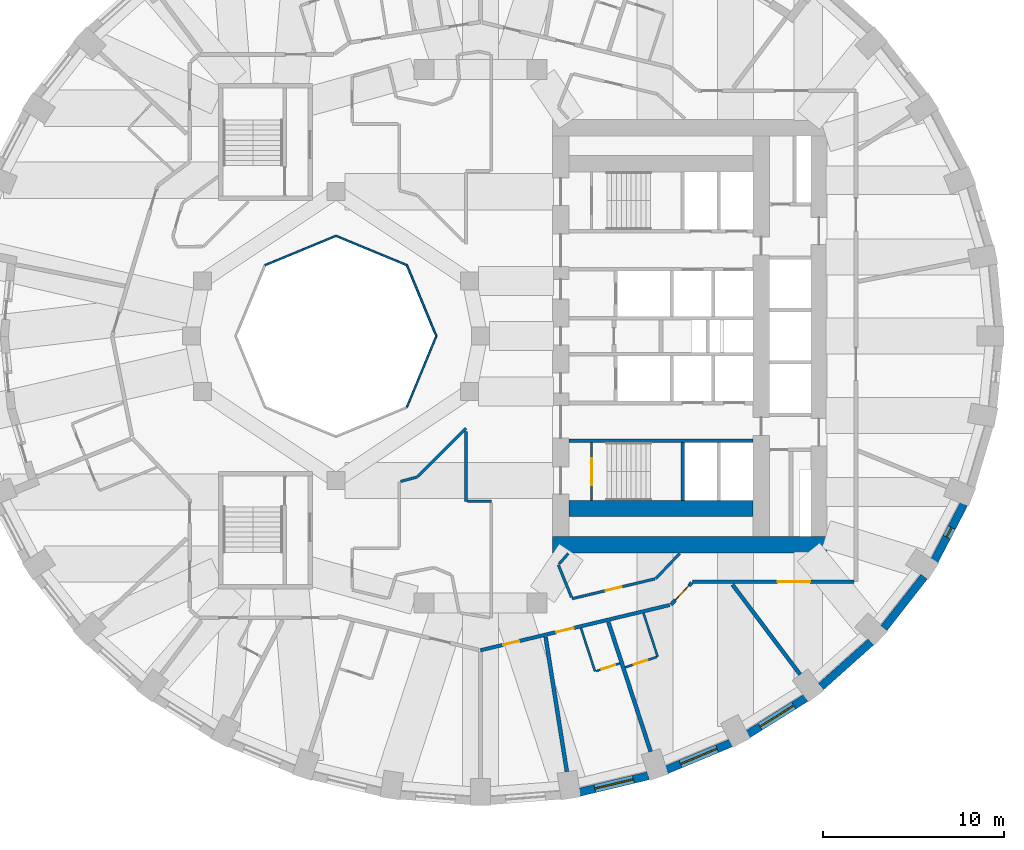
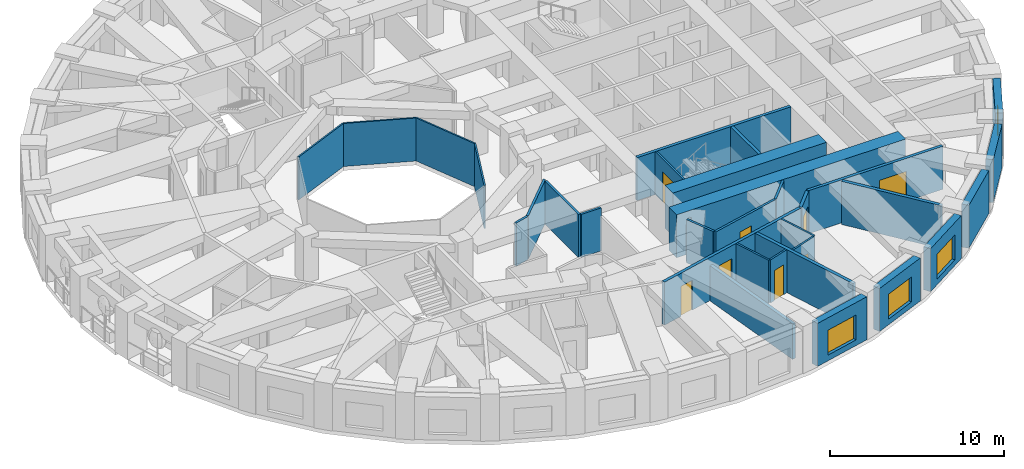
# One storey, part 5 of 14: 33 walls, 8 doors, 4 windows, 12 openings.
"""IFC4 building model written with IfcOpenShell, lengths in metres."""

import ifcopenshell
import ifcopenshell.guid

model = None  # the IFC model being written
_history = None  # IfcOwnerHistory: only IFC2X3 demands one
_inside = {}  # id of a spatial element -> (the spatial element, [elements in it])
_under = {}  # id of a project, library or spatial element -> (it, [spatial elements below it])
_declared = {}  # id of a project -> (the project, [libraries it declares])
_typed = {}  # id of a type object -> (the type object, [elements of that type])
_made_of = {}  # id of a material, layer set ... -> (it, [elements and type objects made of it])


def new_model(schema):
    """Start an empty IFC model of exactly this schema.

    Asked for "IFC4X3", IfcOpenShell would pick the latest addendum, in which some entities
    have other attributes; the version numbers below select the first issue.
    IFC2X3 requires an IfcOwnerHistory on every rooted entity: one is made here for all.
    """
    global model, _history
    if schema == "IFC4X3":
        model = ifcopenshell.file(schema_version=(4, 3, 0, 0))
    else:
        model = ifcopenshell.file(schema=schema)
    _inside.clear()
    _under.clear()
    _declared.clear()
    _typed.clear()
    _made_of.clear()
    _history = None
    if model.schema == "IFC2X3":
        org = make("IfcOrganization", Name="unknown")
        user = make(
            "IfcPersonAndOrganization",
            ThePerson=make("IfcPerson", FamilyName="unknown"),
            TheOrganization=org,
        )
        app = make(
            "IfcApplication",
            ApplicationDeveloper=org,
            Version="unknown",
            ApplicationFullName="unknown",
            ApplicationIdentifier="unknown",
        )
        _history = make(
            "IfcOwnerHistory",
            OwningUser=user,
            OwningApplication=app,
            ChangeAction="ADDED",
            CreationDate=0,
        )
    return model


def make(cls, **values):
    """One entity of the class cls with the attributes given. An attribute that is None is left unset."""
    return model.create_entity(
        cls, **{name: value for name, value in values.items() if value is not None}
    )


def rooted(cls, **values):
    """An entity with a GlobalId (a new one), such as an element, a storey or a relation."""
    return make(cls, GlobalId=ifcopenshell.guid.new(), OwnerHistory=_history, **values)


def si_unit(unit_type, name, prefix=None):
    """IfcSIUnit, for example si_unit("LENGTHUNIT", "METRE", prefix="MILLI")."""
    return make("IfcSIUnit", UnitType=unit_type, Prefix=prefix, Name=name)


def assignment(units):
    """IfcUnitAssignment: the units of a project."""
    return None if units is None else make("IfcUnitAssignment", Units=units)


def point(xyz):
    """IfcCartesianPoint."""
    return None if xyz is None else make("IfcCartesianPoint", Coordinates=xyz)


def direction(xyz):
    """IfcDirection."""
    return None if xyz is None else make("IfcDirection", DirectionRatios=xyz)


def frame(location, z_axis=None, x_axis=None):
    """IfcAxis2Placement3D, a coordinate frame: its origin and axes. An axis left out is left unset."""
    return make(
        "IfcAxis2Placement3D",
        Location=point(location),
        Axis=direction(z_axis),
        RefDirection=direction(x_axis),
    )


def frame_2d(location, x_axis=None):
    """IfcAxis2Placement2D, a coordinate frame in the plane: its origin and x axis."""
    return make(
        "IfcAxis2Placement2D", Location=point(location), RefDirection=direction(x_axis)
    )


def origin():
    """The frame at (0, 0, 0) with its axes left unset."""
    return frame((0.0, 0.0, 0.0))


def place(relative_to, where):
    """IfcLocalPlacement: puts the frame where relative to a parent placement (None: the world)."""
    return make(
        "IfcLocalPlacement", PlacementRelTo=relative_to, RelativePlacement=where
    )


def context(
    kind, dimensions, precision=None, world=None, true_north=None, identifier=None
):
    """IfcGeometricRepresentationContext, for example the 3D "Model" context."""
    return make(
        "IfcGeometricRepresentationContext",
        ContextIdentifier=identifier,
        ContextType=kind,
        CoordinateSpaceDimension=dimensions,
        Precision=precision,
        WorldCoordinateSystem=world,
        TrueNorth=true_north,
    )


def subcontext(parent, identifier, kind, view, scale=None):
    """IfcGeometricRepresentationSubContext, for example "Body" below "Model"."""
    return make(
        "IfcGeometricRepresentationSubContext",
        ContextIdentifier=identifier,
        ContextType=kind,
        ParentContext=parent,
        TargetScale=scale,
        TargetView=view,
    )


def project(units=None, contexts=None):
    """IfcProject with its units and contexts."""
    return rooted(
        "IfcProject",
        Name="project",
        RepresentationContexts=contexts,
        UnitsInContext=assignment(units),
    )


def spatial(cls, under=None, at=None, **own):
    """A site, building, storey or space (cls), placed at a placement, below another one or the project."""
    s = rooted(cls, ObjectPlacement=at, **own)
    if under is not None:
        _under.setdefault(under.id(), (under, []))[1].append(s)
    return s


def profile(cls, at=None, kind="AREA", **sizes):
    """A parametric profile (cls). Its sizes go by their IFC names, for example OverallWidth=200.0."""
    return make(cls, ProfileType=kind, Position=at, **sizes)


def rectangle(**sizes):
    """IfcRectangleProfileDef."""
    return profile("IfcRectangleProfileDef", **sizes)


def extrude(swept, where, along, depth):
    """IfcExtrudedAreaSolid: the profile swept, set in the frame where, extruded along a direction by depth."""
    return make(
        "IfcExtrudedAreaSolid",
        SweptArea=swept,
        Position=where,
        ExtrudedDirection=direction(along),
        Depth=depth,
    )


def shape(context_of_items, identifier, shape_type, items):
    """IfcShapeRepresentation: the items that make up one representation, for example the "Body"."""
    return make(
        "IfcShapeRepresentation",
        ContextOfItems=context_of_items,
        RepresentationIdentifier=identifier,
        RepresentationType=shape_type,
        Items=items,
    )


def material(Name=None, Category=None):
    """IfcMaterial."""
    return make("IfcMaterial", Name=Name, Category=Category)


def layer(
    of_material, thickness, ventilated=None, Name=None, Category=None, Priority=None
):
    """IfcMaterialLayer: one layer of a wall or slab, of a material (None: an air gap)."""
    return make(
        "IfcMaterialLayer",
        Material=of_material,
        LayerThickness=thickness,
        IsVentilated=ventilated,
        Name=Name,
        Category=Category,
        Priority=Priority,
    )


def layer_set(layers, Name=None):
    """IfcMaterialLayerSet."""
    return make("IfcMaterialLayerSet", MaterialLayers=layers, LayerSetName=Name)


def made_of(thing, what):
    """Note that an element or type object is made of a material, layer set ...; save() writes the relation."""
    if what is not None:
        _made_of.setdefault(what.id(), (what, []))[1].append(thing)
    return thing


def type_object(cls, material=None, **own):
    """A type object (cls), such as IfcWallType, which elements share."""
    return made_of(rooted(cls, **own), material)


def element(
    cls,
    number,
    at=None,
    inside=None,
    cuts=None,
    type_object=None,
    material=None,
    context=None,
    identifier="Body",
    shape_type=None,
    held_by="IfcProductDefinitionShape",
    body=None,
    shapes=None,
    **own,
):
    """One element of the class cls, such as IfcWall. Its Tag is "e" and its number.

    at: its placement. inside: the storey or other place that contains it. cuts: it is an
    opening in that element (IfcRelVoidsElement). A single representation is given by context,
    identifier, shape_type and body (its items); several are given by shapes. held_by: the class
    of the entity that holds the representations. save() writes the other relations.
    """
    e = rooted(cls, Tag="e%d" % number, ObjectPlacement=at, **own)
    if body is not None:
        shapes = [shape(context, identifier, shape_type, body)]
    if shapes is not None:
        e.Representation = make(held_by, Representations=shapes)
    if inside is not None:
        _inside.setdefault(inside.id(), (inside, []))[1].append(e)
    if cuts is not None:
        rooted(
            "IfcRelVoidsElement", RelatingBuildingElement=cuts, RelatedOpeningElement=e
        )
    if type_object is not None:
        _typed.setdefault(type_object.id(), (type_object, []))[1].append(e)
    return made_of(e, material)


def fill(opening, filler):
    """IfcRelFillsElement: the door or window that sits in an opening."""
    return rooted(
        "IfcRelFillsElement",
        RelatingOpeningElement=opening,
        RelatedBuildingElement=filler,
    )


def aggregate(whole, parts):
    """IfcRelAggregates: a whole, such as a stair, and the parts it consists of."""
    return rooted("IfcRelAggregates", RelatingObject=whole, RelatedObjects=parts)


def save(model, path):
    """Write the relations noted so far, then the file.

    IfcRelAggregates (storeys below a building ...), IfcRelContainedInSpatialStructure (elements
    in a storey), IfcRelDefinesByType, IfcRelAssociatesMaterial and IfcRelDeclares: one each for
    every whole, place, type object, material and project.
    """
    for whole, parts in _under.values():
        aggregate(whole, parts)
    for where, things in _inside.values():
        rooted(
            "IfcRelContainedInSpatialStructure",
            RelatedElements=things,
            RelatingStructure=where,
        )
    for kind, things in _typed.values():
        rooted("IfcRelDefinesByType", RelatedObjects=things, RelatingType=kind)
    for what, things in _made_of.values():
        rooted("IfcRelAssociatesMaterial", RelatedObjects=things, RelatingMaterial=what)
    for by, libraries in _declared.values():
        rooted("IfcRelDeclares", RelatingContext=by, RelatedDefinitions=libraries)
    model.write(path)


model = new_model("IFC4")

# Units and contexts
model_context = context("Model", 3, precision=1e-05, world=origin(), true_north=direction((0.0, 1.0)))
body_context = subcontext(model_context, "Body", "Model", "MODEL_VIEW")
ifc_project = project(units=[si_unit("LENGTHUNIT", "METRE"), si_unit("AREAUNIT", "SQUARE_METRE"), si_unit("VOLUMEUNIT", "CUBIC_METRE"), si_unit("PLANEANGLEUNIT", "RADIAN"), si_unit("MASSUNIT", "GRAM", prefix="KILO")], contexts=[model_context])

# Site, building, storey
site_placement = place(None, origin())
site = spatial("IfcSite", under=ifc_project, at=site_placement, CompositionType="ELEMENT")
building_placement = place(site_placement, origin())
building = spatial("IfcBuilding", under=site, at=building_placement, Name="Taillehof Tower", CompositionType="ELEMENT")
storey_placement = place(building_placement, frame((0.0, 0.0, 28.300048828125)))
storey = spatial("IfcBuildingStorey", under=building, at=storey_placement, Name="L06", CompositionType="ELEMENT", Elevation=28.300048828125)

# Walls
ifc_material_1 = material(Name="Fire-resisting glass in steel frame", Category="steel")
ifc_layer_1 = layer(ifc_material_1, 0.10009765625)
ifc_layer_set_1 = layer_set([ifc_layer_1], Name="Atrium fire-resisting screen EI 60 100")
wall_type_1 = type_object("IfcWallType", Name="Atrium fire-resisting screen EI 60 100", PredefinedType="PARTITIONING", material=ifc_layer_set_1)
for number, where, z_axis, x_axis, name in (
    (1, (-2.44580078125, 0.0, 0.0), (0.0, 0.0, 1.0), (-0.382730523909, -0.923860025149, 0.0), "Atrium screen"),
    (2, (-11.92724609375, 3.92724609375, 0.0), (0.0, 0.0, 1.0), (0.923860025149, 0.382730523909, 0.0), "Atrium screen"),
    (3, (-8.0, 5.55419921875, 0.0), (0.0, 0.0, 1.0), (0.923860025149, -0.382730523909, 0.0), "Atrium screen"),
    (4, (-4.07275390625, 3.92724609375, 0.0), (0.0, 0.0, 1.0), (0.382730523909, -0.923860025149, 0.0), "Atrium screen"),
):
    element("IfcWall", number, at=place(storey_placement, frame(where, z_axis=z_axis, x_axis=x_axis)), inside=storey, type_object=wall_type_1, Name=name, PredefinedType="PARTITIONING", context=body_context, shape_type="SweptSolid", body=[
        extrude(rectangle(XDim=4.2509765625, YDim=0.10009765625, at=frame_2d((2.12548828125, 0.0))), origin(), (0.0, 0.0, 1.0), 3.02001953125),
    ])

# Wall, opening, window
ifc_material_2 = material(Name="Brick masonry", Category="masonry")
ifc_layer_2 = layer(ifc_material_2, 0.449951171875)
ifc_layer_set_2 = layer_set([ifc_layer_2], Name="Brick infill wall 450")
wall_type_2 = type_object("IfcWallType", Name="Brick infill wall 450", PredefinedType="SOLIDWALL", material=ifc_layer_set_2)
wall_1_placement = place(storey_placement, frame((5.50439453125, -25.260498046875, 0.0), z_axis=(0.0, 0.0, 1.0), x_axis=(0.972496561493, 0.232917233979, 0.0)))
wall_1 = element("IfcWall", 5, at=wall_1_placement, inside=storey, type_object=wall_type_2, Name="Brick wall L06 bay 29", PredefinedType="SOLIDWALL", context=body_context, shape_type="SweptSolid", body=[
    extrude(rectangle(XDim=3.910888671875, YDim=0.449951171875, at=frame_2d((1.95556640625, 0.0))), origin(), (0.0, 0.0, 1.0), 3.02001953125),
])
opening_1_placement = place(wall_1_placement, frame((0.855224609375, 0.0, 0.39990234375)))
opening_1 = element("IfcOpeningElement", 6, at=opening_1_placement, cuts=wall_1, Name="Opening W1", PredefinedType="OPENING", context=body_context, shape_type="SweptSolid", body=[
    extrude(rectangle(XDim=2.199951171875, YDim=1.75, at=frame_2d((1.10009765625, 0.875))), frame((0.0, 0.23486328125, 0.0), z_axis=(0.0, -1.0, 0.0), x_axis=(1.0, 0.0, 0.0)), (0.0, 0.0, 1.0), 0.469970703125),
])
ifc_material_3 = material(Name="Aluminium window frame with clear double glazing", Category="aluminium")
window_type_1 = type_object("IfcWindowType", Name="Deep-set window 2200x1750", PartitioningType="SINGLE_PANEL", PredefinedType="WINDOW", material=ifc_material_3)
window_1_placement = place(opening_1_placement, origin())
window_1 = element("IfcWindow", 7, at=window_1_placement, inside=storey, type_object=window_type_1, Name="W1", OverallHeight=1.75, OverallWidth=2.199951171875, PartitioningType="SINGLE_PANEL", PredefinedType="WINDOW", context=body_context, shape_type="SweptSolid", body=[
    extrude(rectangle(XDim=2.199951171875, YDim=1.75, at=frame_2d((1.10009765625, 0.875))), frame((0.0, 0.034912109375, 0.0), z_axis=(0.0, -1.0, 0.0), x_axis=(1.0, 0.0, 0.0)), (0.0, 0.0, 1.0), 0.06005859375),
])
fill(opening_1, window_1)

wall_2_placement = place(storey_placement, frame((10.3154296875, -24.02099609375, 0.0), z_axis=(0.0, 0.0, 1.0), x_axis=(0.923031964282, 0.384723267966, 0.0)))
wall_2 = element("IfcWall", 8, at=wall_2_placement, inside=storey, type_object=wall_type_2, Name="Brick wall L06 bay 30", PredefinedType="SOLIDWALL", context=body_context, shape_type="SweptSolid", body=[
    extrude(rectangle(XDim=3.8564453125, YDim=0.449951171875, at=frame_2d((1.92822265625, 0.0))), origin(), (0.0, 0.0, 1.0), 3.02001953125),
])
opening_2_placement = place(wall_2_placement, frame((0.828125, 0.0, 0.39990234375)))
opening_2 = element("IfcOpeningElement", 9, at=opening_2_placement, cuts=wall_2, Name="Opening W1", PredefinedType="OPENING", context=body_context, shape_type="SweptSolid", body=[
    extrude(rectangle(XDim=2.199951171875, YDim=1.75, at=frame_2d((1.10009765625, 0.875))), frame((0.0, 0.23486328125, 0.0), z_axis=(0.0, -1.0, 0.0), x_axis=(1.0, 0.0, 0.0)), (0.0, 0.0, 1.0), 0.469970703125),
])
window_2_placement = place(opening_2_placement, origin())
window_2 = element("IfcWindow", 10, at=window_2_placement, inside=storey, type_object=window_type_1, Name="W1", OverallHeight=1.75, OverallWidth=2.199951171875, PartitioningType="SINGLE_PANEL", PredefinedType="WINDOW", context=body_context, shape_type="SweptSolid", body=[
    extrude(rectangle(XDim=2.199951171875, YDim=1.75, at=frame_2d((1.10009765625, 0.875))), frame((0.0, 0.034912109375, 0.0), z_axis=(0.0, -1.0, 0.0), x_axis=(1.0, 0.0, 0.0)), (0.0, 0.0, 1.0), 0.06005859375),
])
fill(opening_2, window_2)

wall_3_placement = place(storey_placement, frame((14.81689453125, -22.050537109375, 0.0), z_axis=(0.0, 0.0, 1.0), x_axis=(0.847635480093, 0.530579016629, 0.0)))
wall_3 = element("IfcWall", 11, at=wall_3_placement, inside=storey, type_object=wall_type_2, Name="Brick wall L06 bay 31", PredefinedType="SOLIDWALL", context=body_context, shape_type="SweptSolid", body=[
    extrude(rectangle(XDim=3.782470703125, YDim=0.449951171875, at=frame_2d((1.89111328125, 0.0))), origin(), (0.0, 0.0, 1.0), 3.02001953125),
])
opening_3_placement = place(wall_3_placement, frame((0.791259765625, 0.0, 0.39990234375)))
opening_3 = element("IfcOpeningElement", 12, at=opening_3_placement, cuts=wall_3, Name="Opening W1", PredefinedType="OPENING", context=body_context, shape_type="SweptSolid", body=[
    extrude(rectangle(XDim=2.199951171875, YDim=1.75, at=frame_2d((1.10009765625, 0.875))), frame((0.0, 0.23486328125, 0.0), z_axis=(0.0, -1.0, 0.0), x_axis=(1.0, 0.0, 0.0)), (0.0, 0.0, 1.0), 0.469970703125),
])
window_3_placement = place(opening_3_placement, origin())
window_3 = element("IfcWindow", 13, at=window_3_placement, inside=storey, type_object=window_type_1, Name="W1", OverallHeight=1.75, OverallWidth=2.199951171875, PartitioningType="SINGLE_PANEL", PredefinedType="WINDOW", context=body_context, shape_type="SweptSolid", body=[
    extrude(rectangle(XDim=2.199951171875, YDim=1.75, at=frame_2d((1.10009765625, 0.875))), frame((0.0, 0.034912109375, 0.0), z_axis=(0.0, -1.0, 0.0), x_axis=(1.0, 0.0, 0.0)), (0.0, 0.0, 1.0), 0.06005859375),
])
fill(opening_3, window_3)

# Walls
wall_4_placement = place(storey_placement, frame((18.87060546875, -19.406982421875, 0.0), z_axis=(0.0, 0.0, 1.0), x_axis=(0.745526233716, 0.66647628228, 0.0)))
element("IfcWall", 14, at=wall_4_placement, inside=storey, type_object=wall_type_2, Name="Brick wall L06 bay 32", PredefinedType="SOLIDWALL", context=body_context, shape_type="SweptSolid", body=[
    extrude(rectangle(XDim=3.69677734375, YDim=0.449951171875, at=frame_2d((1.848388671875, 0.0))), origin(), (0.0, 0.0, 1.0), 3.02001953125),
])
wall_5_placement = place(storey_placement, frame((22.3515625, -16.169677734375, 0.0), z_axis=(0.0, 0.0, 1.0), x_axis=(0.616661975264, 0.787228053529, 0.0)))
element("IfcWall", 15, at=wall_5_placement, inside=storey, type_object=wall_type_2, Name="Brick wall L06 bay 33", PredefinedType="SOLIDWALL", context=body_context, shape_type="SweptSolid", body=[
    extrude(rectangle(XDim=3.60986328125, YDim=0.449951171875, at=frame_2d((1.804931640625, 0.0))), origin(), (0.0, 0.0, 1.0), 3.02001953125),
])

# Wall, opening, window
wall_6_placement = place(storey_placement, frame((25.152099609375, -12.436767578125, 0.0), z_axis=(0.0, 0.0, 1.0), x_axis=(0.462492775226, 0.886623050041, 0.0)))
wall_6 = element("IfcWall", 16, at=wall_6_placement, inside=storey, type_object=wall_type_2, Name="Brick wall L06 bay 34", PredefinedType="SOLIDWALL", context=body_context, shape_type="SweptSolid", body=[
    extrude(rectangle(XDim=3.531982421875, YDim=0.449951171875, at=frame_2d((1.76611328125, 0.0))), origin(), (0.0, 0.0, 1.0), 3.02001953125),
])
opening_4_placement = place(wall_6_placement, frame((1.466064453125, 0.0, 0.39990234375)))
opening_4 = element("IfcOpeningElement", 17, at=opening_4_placement, cuts=wall_6, Name="Opening W6", PredefinedType="OPENING", context=body_context, shape_type="SweptSolid", body=[
    extrude(rectangle(XDim=0.60009765625, YDim=1.75, at=frame_2d((0.300048828125, 0.875))), frame((0.0, 0.23486328125, 0.0), z_axis=(0.0, -1.0, 0.0), x_axis=(1.0, 0.0, 0.0)), (0.0, 0.0, 1.0), 0.469970703125),
])
ifc_material_4 = material(Name="Aluminium window frame with clear double glazing", Category="aluminium")
window_type_2 = type_object("IfcWindowType", Name="Slot window 600x1750", PartitioningType="SINGLE_PANEL", PredefinedType="WINDOW", material=ifc_material_4)
window_4_placement = place(opening_4_placement, origin())
window_4 = element("IfcWindow", 18, at=window_4_placement, inside=storey, type_object=window_type_2, Name="W6", OverallHeight=1.75, OverallWidth=0.60009765625, PartitioningType="SINGLE_PANEL", PredefinedType="WINDOW", context=body_context, shape_type="SweptSolid", body=[
    extrude(rectangle(XDim=0.60009765625, YDim=1.75, at=frame_2d((0.300048828125, 0.875))), frame((0.0, 0.034912109375, 0.0), z_axis=(0.0, -1.0, 0.0), x_axis=(1.0, 0.0, 0.0)), (0.0, 0.0, 1.0), 0.06005859375),
])
fill(opening_4, window_4)

# Wall, opening, door
ifc_material_5 = material(Name="Gypsum board on steel studs, two layers each side", Category="steel")
ifc_layer_3 = layer(ifc_material_5, 0.199951171875)
ifc_layer_set_3 = layer_set([ifc_layer_3], Name="Compartment wall corridor 200")
wall_type_3 = type_object("IfcWallType", Name="Compartment wall corridor 200", PredefinedType="PARTITIONING", material=ifc_layer_set_3)
wall_7_placement = place(storey_placement, frame((20.699951171875, -13.60009765625, 0.0), z_axis=(0.0, 0.0, 1.0), x_axis=(-1.0, 0.0, 0.0)))
wall_7 = element("IfcWall", 19, at=wall_7_placement, inside=storey, type_object=wall_type_3, Name="Compartment wall", PredefinedType="PARTITIONING", context=body_context, shape_type="SweptSolid", body=[
    extrude(rectangle(XDim=8.94140625, YDim=0.199951171875, at=frame_2d((4.470703125, 0.0))), origin(), (0.0, 0.0, 1.0), 3.02001953125),
])
opening_5_placement = place(wall_7_placement, frame((2.436279296875, 0.0, 0.0)))
opening_5 = element("IfcOpeningElement", 20, at=opening_5_placement, cuts=wall_7, Name="Opening D0669", PredefinedType="OPENING", context=body_context, shape_type="SweptSolid", body=[
    extrude(rectangle(XDim=1.800048828125, YDim=2.10009765625, at=frame_2d((0.89990234375, 1.050048828125))), frame((0.0, 0.10986328125, 0.0), z_axis=(0.0, -1.0, 0.0), x_axis=(1.0, 0.0, 0.0)), (0.0, 0.0, 1.0), 0.219970703125),
])
ifc_material_6 = material(Name="Timber door leaf in steel frame", Category="steel")
door_type_1 = type_object("IfcDoorType", Name="Lounge and meeting room double door EI 30 1800 x 2100", OperationType="SINGLE_SWING_LEFT", PredefinedType="DOOR", material=ifc_material_6)
door_1_placement = place(opening_5_placement, origin())
door_1 = element("IfcDoor", 21, at=door_1_placement, inside=storey, type_object=door_type_1, Name="D0669", OperationType="DOUBLE_DOOR_SINGLE_SWING", OverallHeight=2.10009765625, OverallWidth=1.800048828125, PredefinedType="DOOR", context=body_context, shape_type="SweptSolid", body=[
    extrude(rectangle(XDim=1.800048828125, YDim=2.10009765625, at=frame_2d((0.89990234375, 1.050048828125))), frame((0.0, 0.02490234375, 0.0), z_axis=(0.0, -1.0, 0.0), x_axis=(1.0, 0.0, 0.0)), (0.0, 0.0, 1.0), 0.050048828125),
])
fill(opening_5, door_1)

wall_8_placement = place(storey_placement, frame((11.703857421875, -13.65771484375, 0.0), z_axis=(0.0, 0.0, 1.0), x_axis=(-0.687768795377, -0.725929806597, 0.0)))
wall_8 = element("IfcWall", 22, at=wall_8_placement, inside=storey, type_object=wall_type_3, Name="Compartment wall", PredefinedType="PARTITIONING", context=body_context, shape_type="SweptSolid", body=[
    extrude(rectangle(XDim=1.6826171875, YDim=0.199951171875, at=frame_2d((0.84130859375, 0.0))), origin(), (0.0, 0.0, 1.0), 3.02001953125),
])
opening_6_placement = place(wall_8_placement, frame((0.219970703125, 0.0, 0.0)))
opening_6 = element("IfcOpeningElement", 23, at=opening_6_placement, cuts=wall_8, Name="Opening D0667", PredefinedType="OPENING", context=body_context, shape_type="SweptSolid", body=[
    extrude(rectangle(XDim=1.10009765625, YDim=2.10009765625, at=frame_2d((0.550048828125, 1.050048828125))), frame((0.0, 0.10986328125, 0.0), z_axis=(0.0, -1.0, 0.0), x_axis=(1.0, 0.0, 0.0)), (0.0, 0.0, 1.0), 0.219970703125),
])
ifc_material_7 = material(Name="Timber door leaf in steel frame", Category="steel")
door_type_2 = type_object("IfcDoorType", Name="Suite entrance door EI 30 1100 x 2100", OperationType="SINGLE_SWING_LEFT", PredefinedType="DOOR", material=ifc_material_7)
door_2_placement = place(opening_6_placement, origin())
door_2 = element("IfcDoor", 24, at=door_2_placement, inside=storey, type_object=door_type_2, Name="D0667", OperationType="SINGLE_SWING_LEFT", OverallHeight=2.10009765625, OverallWidth=1.10009765625, PredefinedType="DOOR", context=body_context, shape_type="SweptSolid", body=[
    extrude(rectangle(XDim=1.10009765625, YDim=2.10009765625, at=frame_2d((0.550048828125, 1.050048828125))), frame((0.0, 0.02490234375, 0.0), z_axis=(0.0, -1.0, 0.0), x_axis=(1.0, 0.0, 0.0)), (0.0, 0.0, 1.0), 0.050048828125),
])
fill(opening_6, door_2)

# Wall, openings, doors
wall_9_placement = place(storey_placement, frame((10.488037109375, -14.89306640625, 0.0), z_axis=(0.0, 0.0, 1.0), x_axis=(-0.972603489924, -0.23247032367, 0.0)))
wall_9 = element("IfcWall", 25, at=wall_9_placement, inside=storey, type_object=wall_type_3, Name="Compartment wall", PredefinedType="PARTITIONING", context=body_context, shape_type="SweptSolid", body=[
    extrude(rectangle(XDim=10.783447265625, YDim=0.199951171875, at=frame_2d((5.3916015625, 0.0))), origin(), (0.0, 0.0, 1.0), 3.02001953125),
])
opening_7_placement = place(wall_9_placement, frame((8.59033203125, 0.0, 0.0)))
opening_7 = element("IfcOpeningElement", 26, at=opening_7_placement, cuts=wall_9, Name="Opening D0664", PredefinedType="OPENING", context=body_context, shape_type="SweptSolid", body=[
    extrude(rectangle(XDim=0.89990234375, YDim=2.10009765625, at=frame_2d((0.449951171875, 1.050048828125))), frame((0.0, 0.10986328125, 0.0), z_axis=(0.0, -1.0, 0.0), x_axis=(1.0, 0.0, 0.0)), (0.0, 0.0, 1.0), 0.219970703125),
])
opening_8_placement = place(wall_9_placement, frame((5.46240234375, 0.0, 0.0)))
opening_8 = element("IfcOpeningElement", 27, at=opening_8_placement, cuts=wall_9, Name="Opening D0665", PredefinedType="OPENING", context=body_context, shape_type="SweptSolid", body=[
    extrude(rectangle(XDim=1.0, YDim=2.10009765625, at=frame_2d((0.5, 1.050048828125))), frame((0.0, 0.10986328125, 0.0), z_axis=(0.0, -1.0, 0.0), x_axis=(1.0, 0.0, 0.0)), (0.0, 0.0, 1.0), 0.219970703125),
])
ifc_material_8 = material(Name="Timber door leaf in steel frame", Category="steel")
door_type_3 = type_object("IfcDoorType", Name="Guest room door EI 30 1000 x 2100", OperationType="SINGLE_SWING_LEFT", PredefinedType="DOOR", material=ifc_material_8)
door_3_placement = place(opening_8_placement, origin())
door_3 = element("IfcDoor", 28, at=door_3_placement, inside=storey, type_object=door_type_3, Name="D0665", OperationType="SINGLE_SWING_LEFT", OverallHeight=2.10009765625, OverallWidth=1.0, PredefinedType="DOOR", context=body_context, shape_type="SweptSolid", body=[
    extrude(rectangle(XDim=1.0, YDim=2.10009765625, at=frame_2d((0.5, 1.050048828125))), frame((0.0, 0.02490234375, 0.0), z_axis=(0.0, -1.0, 0.0), x_axis=(1.0, 0.0, 0.0)), (0.0, 0.0, 1.0), 0.050048828125),
])
fill(opening_8, door_3)
ifc_material_9 = material(Name="Timber door leaf in steel frame", Category="steel")
door_type_4 = type_object("IfcDoorType", Name="Service room door EI 30 900 x 2100", OperationType="SINGLE_SWING_LEFT", PredefinedType="DOOR", material=ifc_material_9)
door_4_placement = place(opening_7_placement, origin())
door_4 = element("IfcDoor", 29, at=door_4_placement, inside=storey, type_object=door_type_4, Name="D0664", OperationType="SINGLE_SWING_RIGHT", OverallHeight=2.10009765625, OverallWidth=0.89990234375, PredefinedType="DOOR", context=body_context, shape_type="SweptSolid", body=[
    extrude(rectangle(XDim=0.89990234375, YDim=2.10009765625, at=frame_2d((0.449951171875, 1.050048828125))), frame((0.0, 0.02490234375, 0.0), z_axis=(0.0, -1.0, 0.0), x_axis=(1.0, 0.0, 0.0)), (0.0, 0.0, 1.0), 0.050048828125),
])
fill(opening_7, door_4)

# Walls
ifc_material_10 = material(Name="Gypsum board on double steel studs with mineral wool", Category="steel")
ifc_layer_4 = layer(ifc_material_10, 0.219970703125)
ifc_layer_set_4 = layer_set([ifc_layer_4], Name="Compartment wall guest room 220")
wall_type_4 = type_object("IfcWallType", Name="Compartment wall guest room 220", PredefinedType="PARTITIONING", material=ifc_layer_set_4)
wall_10_placement = place(storey_placement, frame((4.788330078125, -24.12548828125, 0.0), z_axis=(0.0, 0.0, 1.0), x_axis=(-0.156131781396, 0.987736233434, 0.0)))
element("IfcWall", 30, at=wall_10_placement, inside=storey, type_object=wall_type_4, Name="Compartment wall", PredefinedType="PARTITIONING", context=body_context, shape_type="SweptSolid", body=[
    extrude(rectangle(XDim=7.557373046875, YDim=0.219970703125, at=frame_2d((3.77880859375, 0.0))), origin(), (0.0, 0.0, 1.0), 2.469970703125),
])
wall_11_placement = place(storey_placement, frame((9.429443359375, -23.01416015625, 0.0), z_axis=(0.0, 0.0, 1.0), x_axis=(-0.310261176215, 0.950651356983, 0.0)))
element("IfcWall", 31, at=wall_11_placement, inside=storey, type_object=wall_type_4, Name="Compartment wall", PredefinedType="PARTITIONING", context=body_context, shape_type="SweptSolid", body=[
    extrude(rectangle(XDim=7.557373046875, YDim=0.219970703125, at=frame_2d((3.77880859375, 0.0))), origin(), (0.0, 0.0, 1.0), 3.02001953125),
])
wall_12_placement = place(storey_placement, frame((17.707763671875, -18.7431640625, 0.0), z_axis=(0.0, 0.0, 1.0), x_axis=(-0.601177883261, 0.799115231164, 0.0)))
element("IfcWall", 32, at=wall_12_placement, inside=storey, type_object=wall_type_4, Name="Compartment wall", PredefinedType="PARTITIONING", context=body_context, shape_type="SweptSolid", body=[
    extrude(rectangle(XDim=6.231201171875, YDim=0.219970703125, at=frame_2d((3.11572265625, 0.0))), origin(), (0.0, 0.0, 1.0), 3.02001953125),
])
ifc_material_11 = material(Name="Gypsum board on steel studs, two layers each side", Category="steel")
ifc_layer_5 = layer(ifc_material_11, 0.14990234375)
ifc_layer_set_5 = layer_set([ifc_layer_5], Name="Compartment wall service room 150")
wall_type_5 = type_object("IfcWallType", Name="Compartment wall service room 150", PredefinedType="PARTITIONING", material=ifc_layer_set_5)
wall_13_placement = place(storey_placement, frame((-4.4228515625, -8.048583984375, 0.0), z_axis=(0.0, 0.0, 1.0), x_axis=(0.96590031435, 0.25891423819, 0.0)))
element("IfcWall", 33, at=wall_13_placement, inside=storey, type_object=wall_type_5, Name="Compartment wall", PredefinedType="PARTITIONING", context=body_context, shape_type="SweptSolid", body=[
    extrude(rectangle(XDim=0.958984375, YDim=0.14990234375, at=frame_2d((0.4794921875, 0.0))), origin(), (0.0, 0.0, 1.0), 3.02001953125),
])
wall_14_placement = place(storey_placement, frame((-3.46826171875, -7.77197265625, 0.0), z_axis=(0.0, 0.0, 1.0), x_axis=(0.707106781187, 0.707106781187, 0.0)))
element("IfcWall", 34, at=wall_14_placement, inside=storey, type_object=wall_type_5, Name="Compartment wall", PredefinedType="PARTITIONING", context=body_context, shape_type="SweptSolid", body=[
    extrude(rectangle(XDim=3.7734375, YDim=0.14990234375, at=frame_2d((1.88671875, 0.0))), origin(), (0.0, 0.0, 1.0), 3.02001953125),
])
wall_15_placement = place(storey_placement, frame((-0.800048828125, -5.283935546875, 0.0), z_axis=(0.0, 0.0, 1.0), x_axis=(0.0, -1.0, 0.0)))
element("IfcWall", 35, at=wall_15_placement, inside=storey, type_object=wall_type_5, Name="Compartment wall", PredefinedType="PARTITIONING", context=body_context, shape_type="SweptSolid", body=[
    extrude(rectangle(XDim=3.865966796875, YDim=0.14990234375, at=frame_2d((1.93310546875, 0.0))), origin(), (0.0, 0.0, 1.0), 3.02001953125),
])
wall_16_placement = place(storey_placement, frame((-0.719970703125, -9.14990234375, 0.0), z_axis=(0.0, 0.0, 1.0), x_axis=(1.0, 0.0, 0.0)))
element("IfcWall", 36, at=wall_16_placement, inside=storey, type_object=wall_type_5, Name="Compartment wall", PredefinedType="PARTITIONING", context=body_context, shape_type="SweptSolid", body=[
    extrude(rectangle(XDim=1.320068359375, YDim=0.14990234375, at=frame_2d((0.66015625, 0.0))), origin(), (0.0, 0.0, 1.0), 3.02001953125),
])
wall_17_placement = place(storey_placement, frame((11.02978515625, -12.042724609375, 0.0), z_axis=(0.0, 0.0, 1.0), x_axis=(-0.687734044261, -0.725962729322, 0.0)))
element("IfcWall", 37, at=wall_17_placement, inside=storey, type_object=wall_type_5, Name="Compartment wall", PredefinedType="PARTITIONING", context=body_context, shape_type="SweptSolid", body=[
    extrude(rectangle(XDim=1.916015625, YDim=0.14990234375, at=frame_2d((0.9580078125, 0.0))), origin(), (0.0, 0.0, 1.0), 3.02001953125),
])

# Wall, opening, door
wall_18_placement = place(storey_placement, frame((9.673095703125, -13.44287109375, 0.0), z_axis=(0.0, 0.0, 1.0), x_axis=(-0.972603013932, -0.232472315103, 0.0)))
wall_18 = element("IfcWall", 38, at=wall_18_placement, inside=storey, type_object=wall_type_5, Name="Compartment wall", PredefinedType="PARTITIONING", context=body_context, shape_type="SweptSolid", body=[
    extrude(rectangle(XDim=4.726806640625, YDim=0.14990234375, at=frame_2d((2.36328125, 0.0))), origin(), (0.0, 0.0, 1.0), 3.02001953125),
])
opening_9_placement = place(wall_18_placement, frame((1.91357421875, 0.0, 0.0)))
opening_9 = element("IfcOpeningElement", 39, at=opening_9_placement, cuts=wall_18, Name="Opening D0677", PredefinedType="OPENING", context=body_context, shape_type="SweptSolid", body=[
    extrude(rectangle(XDim=0.89990234375, YDim=2.10009765625, at=frame_2d((0.449951171875, 1.050048828125))), frame((0.0, 0.0849609375, 0.0), z_axis=(0.0, -1.0, 0.0), x_axis=(1.0, 0.0, 0.0)), (0.0, 0.0, 1.0), 0.169921875),
])
door_5_placement = place(opening_9_placement, origin())
door_5 = element("IfcDoor", 40, at=door_5_placement, inside=storey, type_object=door_type_4, Name="D0677", OperationType="SINGLE_SWING_LEFT", OverallHeight=2.10009765625, OverallWidth=0.89990234375, PredefinedType="DOOR", context=body_context, shape_type="SweptSolid", body=[
    extrude(rectangle(XDim=0.89990234375, YDim=2.10009765625, at=frame_2d((0.449951171875, 1.050048828125))), frame((0.0, 0.02490234375, 0.0), z_axis=(0.0, -1.0, 0.0), x_axis=(1.0, 0.0, 0.0)), (0.0, 0.0, 1.0), 0.050048828125),
])
fill(opening_9, door_5)

# Walls
wall_19_placement = place(storey_placement, frame((5.04541015625, -14.467529296875, 0.0), z_axis=(0.0, 0.0, 1.0), x_axis=(-0.376889538578, 0.926258212223, 0.0)))
element("IfcWall", 41, at=wall_19_placement, inside=storey, type_object=wall_type_5, Name="Compartment wall", PredefinedType="PARTITIONING", context=body_context, shape_type="SweptSolid", body=[
    extrude(rectangle(XDim=1.942138671875, YDim=0.14990234375, at=frame_2d((0.97119140625, 0.0))), origin(), (0.0, 0.0, 1.0), 3.02001953125),
])
wall_20_placement = place(storey_placement, frame((4.35302734375, -12.623291015625, 0.0), z_axis=(0.0, 0.0, 1.0), x_axis=(0.660265480509, 0.751032286422, 0.0)))
element("IfcWall", 42, at=wall_20_placement, inside=storey, type_object=wall_type_5, Name="Compartment wall", PredefinedType="PARTITIONING", context=body_context, shape_type="SweptSolid", body=[
    extrude(rectangle(XDim=0.774658203125, YDim=0.14990234375, at=frame_2d((0.38720703125, 0.0))), origin(), (0.0, 0.0, 1.0), 2.570068359375),
])
ifc_material_12 = material(Name="Concrete C80/95", Category="concrete")
ifc_layer_6 = layer(ifc_material_12, 0.89990234375)
ifc_layer_set_6 = layer_set([ifc_layer_6], Name="Core wall C80/95 900")
wall_type_6 = type_object("IfcWallType", Name="Core wall C80/95 900", PredefinedType="SHEAR", material=ifc_layer_set_6)
wall_21_placement = place(storey_placement, frame((4.0, -11.550048828125, 0.0), z_axis=(0.0, 0.0, 1.0), x_axis=(1.0, 0.0, 0.0)))
element("IfcWall", 43, at=wall_21_placement, inside=storey, type_object=wall_type_6, Name="Core wall CW04", PredefinedType="SHEAR", context=body_context, shape_type="SweptSolid", body=[
    extrude(rectangle(XDim=15.199951171875, YDim=0.89990234375, at=frame_2d((7.60009765625, 0.0))), origin(), (0.0, 0.0, 1.0), 3.02001953125),
])
wall_22_placement = place(storey_placement, frame((4.89990234375, -9.550048828125, 0.0), z_axis=(0.0, 0.0, 1.0), x_axis=(1.0, 0.0, 0.0)))
element("IfcWall", 44, at=wall_22_placement, inside=storey, type_object=wall_type_6, Name="Core wall CW07", PredefinedType="SHEAR", context=body_context, shape_type="SweptSolid", body=[
    extrude(rectangle(XDim=10.2001953125, YDim=0.89990234375, at=frame_2d((5.10009765625, 0.0))), origin(), (0.0, 0.0, 1.0), 3.02001953125),
])
ifc_material_13 = material(Name="Gypsum board on steel studs, moisture resistant", Category="steel")
ifc_layer_7 = layer(ifc_material_13, 0.1201171875)
ifc_layer_set_7 = layer_set([ifc_layer_7], Name="En-suite wall 120")
wall_type_7 = type_object("IfcWallType", Name="En-suite wall 120", PredefinedType="PARTITIONING", material=ifc_layer_set_7)
wall_23_placement = place(storey_placement, frame((5.56640625, -16.17236328125, 0.0), z_axis=(0.0, 0.0, 1.0), x_axis=(0.310159281599, -0.950684605975, 0.0)))
element("IfcWall", 45, at=wall_23_placement, inside=storey, type_object=wall_type_7, Name="En-suite wall", PredefinedType="PARTITIONING", context=body_context, shape_type="SweptSolid", body=[
    extrude(rectangle(XDim=2.525146484375, YDim=0.1201171875, at=frame_2d((1.2626953125, 0.0))), origin(), (0.0, 0.0, 1.0), 3.02001953125),
])
wall_24_placement = place(storey_placement, frame((9.0302734375, -15.344482421875, 0.0), z_axis=(0.0, 0.0, 1.0), x_axis=(0.310275804943, -0.950646582525, 0.0)))
element("IfcWall", 46, at=wall_24_placement, inside=storey, type_object=wall_type_7, Name="En-suite wall", PredefinedType="PARTITIONING", context=body_context, shape_type="SweptSolid", body=[
    extrude(rectangle(XDim=2.53759765625, YDim=0.1201171875, at=frame_2d((1.268798828125, 0.0))), origin(), (0.0, 0.0, 1.0), 3.02001953125),
])

# Wall, opening, door
wall_25_placement = place(storey_placement, frame((6.40673828125, -18.554443359375, 0.0), z_axis=(0.0, 0.0, 1.0), x_axis=(0.950628893115, 0.310329997864, 0.0)))
wall_25 = element("IfcWall", 47, at=wall_25_placement, inside=storey, type_object=wall_type_7, Name="En-suite wall", PredefinedType="PARTITIONING", context=body_context, shape_type="SweptSolid", body=[
    extrude(rectangle(XDim=1.3798828125, YDim=0.1201171875, at=frame_2d((0.68994140625, 0.0))), origin(), (0.0, 0.0, 1.0), 3.02001953125),
])
opening_10_placement = place(wall_25_placement, frame((0.31494140625, 0.0, 0.0)))
opening_10 = element("IfcOpeningElement", 48, at=opening_10_placement, cuts=wall_25, Name="Opening D0666", PredefinedType="OPENING", context=body_context, shape_type="SweptSolid", body=[
    extrude(rectangle(XDim=0.800048828125, YDim=2.10009765625, at=frame_2d((0.39990234375, 1.050048828125))), frame((0.0, 0.070068359375, 0.0), z_axis=(0.0, -1.0, 0.0), x_axis=(1.0, 0.0, 0.0)), (0.0, 0.0, 1.0), 0.14013671875),
])
ifc_material_14 = material(Name="Timber door leaf in steel frame", Category="steel")
door_type_5 = type_object("IfcDoorType", Name="En-suite door 800 x 2100", OperationType="SINGLE_SWING_LEFT", PredefinedType="DOOR", material=ifc_material_14)
door_6_placement = place(opening_10_placement, origin())
door_6 = element("IfcDoor", 49, at=door_6_placement, inside=storey, type_object=door_type_5, Name="D0666", OperationType="SINGLE_SWING_LEFT", OverallHeight=2.10009765625, OverallWidth=0.800048828125, PredefinedType="DOOR", context=body_context, shape_type="SweptSolid", body=[
    extrude(rectangle(XDim=0.800048828125, YDim=2.10009765625, at=frame_2d((0.39990234375, 1.050048828125))), frame((0.0, 0.02490234375, 0.0), z_axis=(0.0, -1.0, 0.0), x_axis=(1.0, 0.0, 0.0)), (0.0, 0.0, 1.0), 0.050048828125),
])
fill(opening_10, door_6)

wall_26_placement = place(storey_placement, frame((9.760498046875, -17.775146484375, 0.0), z_axis=(0.0, 0.0, 1.0), x_axis=(-0.950599833202, -0.310419002506, 0.0)))
wall_26 = element("IfcWall", 50, at=wall_26_placement, inside=storey, type_object=wall_type_7, Name="En-suite wall", PredefinedType="PARTITIONING", context=body_context, shape_type="SweptSolid", body=[
    extrude(rectangle(XDim=1.830078125, YDim=0.1201171875, at=frame_2d((0.9150390625, 0.0))), origin(), (0.0, 0.0, 1.0), 3.02001953125),
])
opening_11_placement = place(wall_26_placement, frame((0.5400390625, 0.0, 0.0)))
opening_11 = element("IfcOpeningElement", 51, at=opening_11_placement, cuts=wall_26, Name="Opening D0668", PredefinedType="OPENING", context=body_context, shape_type="SweptSolid", body=[
    extrude(rectangle(XDim=0.800048828125, YDim=2.10009765625, at=frame_2d((0.39990234375, 1.050048828125))), frame((0.0, 0.070068359375, 0.0), z_axis=(0.0, -1.0, 0.0), x_axis=(1.0, 0.0, 0.0)), (0.0, 0.0, 1.0), 0.14013671875),
])
door_7_placement = place(opening_11_placement, origin())
door_7 = element("IfcDoor", 52, at=door_7_placement, inside=storey, type_object=door_type_5, Name="D0668", OperationType="SINGLE_SWING_LEFT", OverallHeight=2.10009765625, OverallWidth=0.800048828125, PredefinedType="DOOR", context=body_context, shape_type="SweptSolid", body=[
    extrude(rectangle(XDim=0.800048828125, YDim=2.10009765625, at=frame_2d((0.39990234375, 1.050048828125))), frame((0.0, 0.02490234375, 0.0), z_axis=(0.0, -1.0, 0.0), x_axis=(1.0, 0.0, 0.0)), (0.0, 0.0, 1.0), 0.050048828125),
])
fill(opening_11, door_7)

# Walls
ifc_material_15 = material(Name="Concrete C50/60", Category="concrete")
ifc_layer_8 = layer(ifc_material_15, 0.199951171875)
ifc_layer_set_8 = layer_set([ifc_layer_8], Name="Shaft wall C50/60 200")
wall_type_8 = type_object("IfcWallType", Name="Shaft wall C50/60 200", PredefinedType="SHEAR", material=ifc_layer_set_8)
wall_27_placement = place(storey_placement, frame((4.89990234375, -5.800048828125, 0.0), z_axis=(0.0, 0.0, 1.0), x_axis=(1.0, 0.0, 0.0)))
element("IfcWall", 53, at=wall_27_placement, inside=storey, type_object=wall_type_8, Name="Shaft wall SW", PredefinedType="SHEAR", context=body_context, shape_type="SweptSolid", body=[
    extrude(rectangle(XDim=10.2001953125, YDim=0.199951171875, at=frame_2d((5.10009765625, 0.0))), origin(), (0.0, 0.0, 1.0), 3.02001953125),
])
wall_28_placement = place(storey_placement, frame((11.199951171875, -9.10009765625, 0.0), z_axis=(0.0, 0.0, 1.0), x_axis=(0.0, 1.0, 0.0)))
element("IfcWall", 54, at=wall_28_placement, inside=storey, type_object=wall_type_8, Name="Shaft wall SW", PredefinedType="SHEAR", context=body_context, shape_type="SweptSolid", body=[
    extrude(rectangle(XDim=3.2001953125, YDim=0.199951171875, at=frame_2d((1.60009765625, 0.0))), origin(), (0.0, 0.0, 1.0), 3.02001953125),
])

# Wall, opening, door
ifc_material_16 = material(Name="Concrete C50/60", Category="concrete")
ifc_layer_9 = layer(ifc_material_16, 0.1201171875)
ifc_layer_set_9 = layer_set([ifc_layer_9], Name="Stair lobby wall C50/60 120")
wall_type_9 = type_object("IfcWallType", Name="Stair lobby wall C50/60 120", PredefinedType="SHEAR", material=ifc_layer_set_9)
wall_29_placement = place(storey_placement, frame((6.159912109375, -9.10009765625, 0.0), z_axis=(0.0, 0.0, 1.0), x_axis=(0.0, 1.0, 0.0)))
wall_29 = element("IfcWall", 55, at=wall_29_placement, inside=storey, type_object=wall_type_9, Name="Compartment wall SW", PredefinedType="SHEAR", context=body_context, shape_type="SweptSolid", body=[
    extrude(rectangle(XDim=3.2001953125, YDim=0.1201171875, at=frame_2d((1.60009765625, 0.0))), origin(), (0.0, 0.0, 1.0), 3.02001953125),
])
opening_12_placement = place(wall_29_placement, frame((0.85009765625, 0.0, 0.0)))
opening_12 = element("IfcOpeningElement", 56, at=opening_12_placement, cuts=wall_29, Name="Opening D0611", PredefinedType="OPENING", context=body_context, shape_type="SweptSolid", body=[
    extrude(rectangle(XDim=1.5, YDim=2.10009765625, at=frame_2d((0.75, 1.050048828125))), frame((0.0, 0.070068359375, 0.0), z_axis=(0.0, -1.0, 0.0), x_axis=(1.0, 0.0, 0.0)), (0.0, 0.0, 1.0), 0.14013671875),
])
ifc_material_17 = material(Name="Steel-faced fire door", Category="steel")
door_type_6 = type_object("IfcDoorType", Name="Stair door 1500x2100", OperationType="DOUBLE_DOOR_SINGLE_SWING", PredefinedType="DOOR", material=ifc_material_17)
door_8_placement = place(opening_12_placement, origin())
door_8 = element("IfcDoor", 57, at=door_8_placement, inside=storey, type_object=door_type_6, Name="Stair lobby door S2", OperationType="DOUBLE_DOOR_SINGLE_SWING", OverallHeight=2.10009765625, OverallWidth=1.5, PredefinedType="DOOR", context=body_context, shape_type="SweptSolid", body=[
    extrude(rectangle(XDim=1.5, YDim=2.10009765625, at=frame_2d((0.75, 1.050048828125))), frame((0.0, 0.02490234375, 0.0), z_axis=(0.0, -1.0, 0.0), x_axis=(1.0, 0.0, 0.0)), (0.0, 0.0, 1.0), 0.050048828125),
])
fill(opening_12, door_8)

save(model, "model.ifc")
